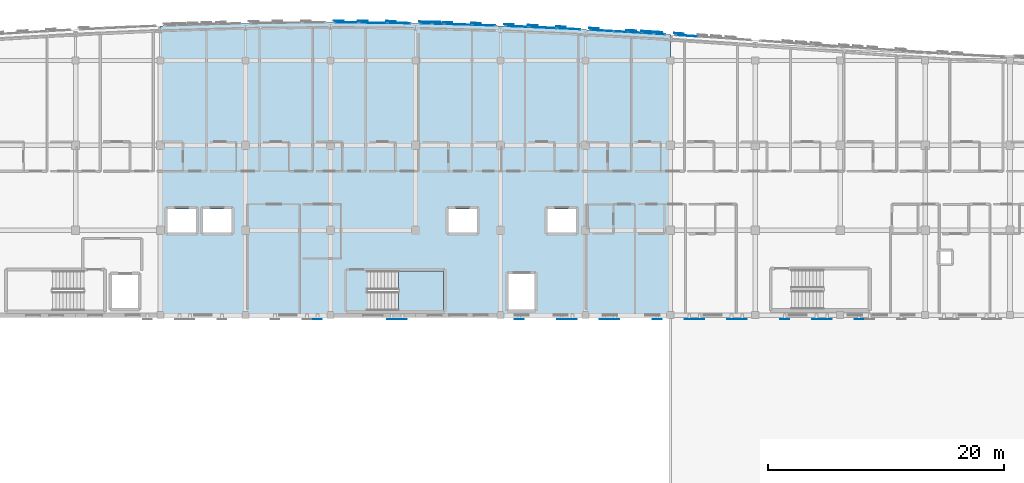
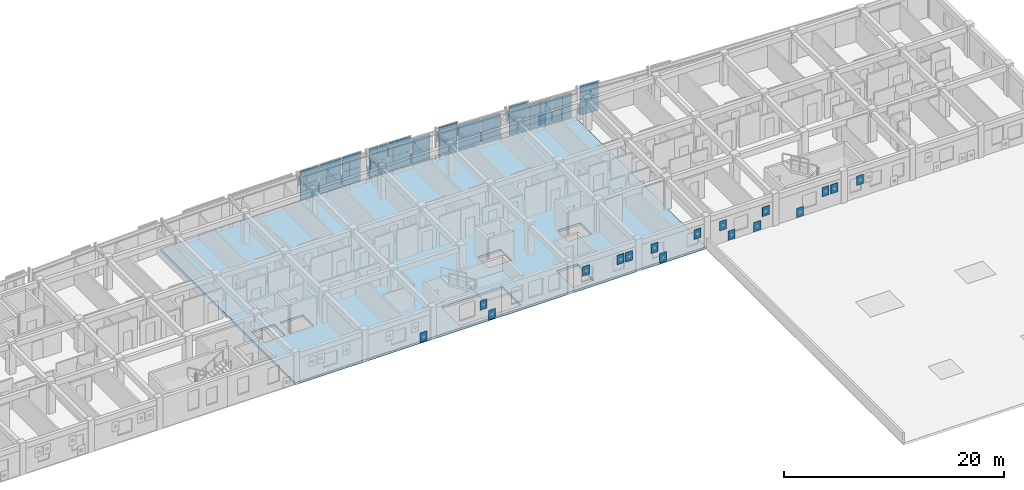
# One storey, part 35 of 50: 64 plates, 2 slabs, 14 elements without a shape of their own.
"""IFC4 building model written with IfcOpenShell, lengths in metres."""

from ifc_helpers import new_model, si_unit, direction, frame, origin, origin_2d, place, context, subcontext, project, spatial, polyline, rectangle, outline, extrude, material, layer, layer_set, type_object, element, aggregate, save


model = new_model("IFC4")

# Units and contexts
model_context = context("Model", 3, precision=1e-05, world=origin(), true_north=direction((0.0, 1.0)))
body_context = subcontext(model_context, "Body", "Model", "MODEL_VIEW")
ifc_project = project(units=[si_unit("LENGTHUNIT", "METRE"), si_unit("AREAUNIT", "SQUARE_METRE"), si_unit("VOLUMEUNIT", "CUBIC_METRE"), si_unit("PLANEANGLEUNIT", "RADIAN"), si_unit("MASSUNIT", "GRAM", prefix="KILO")], contexts=[model_context])

# Site, building, storey
site_placement = place(None, origin())
site = spatial("IfcSite", under=ifc_project, at=site_placement, CompositionType="ELEMENT")
building_placement = place(site_placement, origin())
building = spatial("IfcBuilding", under=site, at=building_placement, Name="Carrowvane Square Congress Hotel", CompositionType="ELEMENT")
storey_placement = place(building_placement, frame((0.0, 0.0, 22.800048828125)))
storey = spatial("IfcBuildingStorey", under=building, at=storey_placement, Name="L05", CompositionType="ELEMENT", Elevation=22.800048828125)

# Curtain wall, plates
ifc_material_1 = material(Name="Anodised aluminium", Category="aluminium")
ifc_layer_1 = layer(ifc_material_1, 0.24609375)
ifc_layer_set_1 = layer_set([ifc_layer_1], Name="Anodised aluminium")
curtain_wall_type_1 = type_object("IfcCurtainWallType", Name="CW-SYS-8", PredefinedType="NOTDEFINED", material=ifc_layer_set_1)
curtain_wall_1_placement = place(storey_placement, origin())
curtain_wall_1 = element("IfcCurtainWall", 1, at=curtain_wall_1_placement, inside=storey, type_object=curtain_wall_type_1, Name="L05 unitised curtain wall 335", PredefinedType="NOTDEFINED")
ifc_material_2 = material(Name="Double-glazed low-E glass", Category="glass")
ifc_layer_2 = layer(ifc_material_2, 0.028076171875)
ifc_layer_set_2 = layer_set([ifc_layer_2], Name="Double-glazed low-E glass")
plate_type_1 = type_object("IfcPlateType", Name="CW-PAN-1", PredefinedType="CURTAIN_PANEL", material=ifc_layer_set_2)
plate_1_placement = place(storey_placement, frame((106.11181640625, 116.50927734375, 0.06982421875), z_axis=(0.0, 0.0, 1.0), x_axis=(0.99974644475, -0.022517686606, 0.0)))
plate_1 = element("IfcPlate", 2, at=plate_1_placement, type_object=plate_type_1, Name="CW-8 panel 1.1", PredefinedType="CURTAIN_PANEL", context=body_context, shape_type="SweptSolid", body=[
    extrude(rectangle(XDim=0.899169921875, YDim=0.028076171875, at=origin_2d()), origin(), (0.0, 0.0, 1.0), 1.570068359375),
])
plate_2_placement = place(storey_placement, frame((106.11181640625, 116.50927734375, 1.7099609375), z_axis=(0.0, 0.0, 1.0), x_axis=(0.99974644475, -0.022517686606, 0.0)))
plate_2 = element("IfcPlate", 3, at=plate_2_placement, type_object=plate_type_1, Name="CW-8 panel 1.2", PredefinedType="CURTAIN_PANEL", context=body_context, shape_type="SweptSolid", body=[
    extrude(rectangle(XDim=0.899169921875, YDim=0.028076171875, at=origin_2d()), origin(), (0.0, 0.0, 1.0), 1.570068359375),
])
plate_3_placement = place(storey_placement, frame((107.08056640625, 116.4873046875, 0.06982421875), z_axis=(0.0, 0.0, 1.0), x_axis=(0.99974644475, -0.022517686606, 0.0)))
plate_3 = element("IfcPlate", 4, at=plate_3_placement, type_object=plate_type_1, Name="CW-8 panel 2.1", PredefinedType="CURTAIN_PANEL", context=body_context, shape_type="SweptSolid", body=[
    extrude(rectangle(XDim=0.899169921875, YDim=0.028076171875, at=origin_2d()), origin(), (0.0, 0.0, 1.0), 1.570068359375),
])
plate_4_placement = place(storey_placement, frame((107.08056640625, 116.4873046875, 1.7099609375), z_axis=(0.0, 0.0, 1.0), x_axis=(0.99974644475, -0.022517686606, 0.0)))
plate_4 = element("IfcPlate", 5, at=plate_4_placement, type_object=plate_type_1, Name="CW-8 panel 2.2", PredefinedType="CURTAIN_PANEL", context=body_context, shape_type="SweptSolid", body=[
    extrude(rectangle(XDim=0.899169921875, YDim=0.028076171875, at=origin_2d()), origin(), (0.0, 0.0, 1.0), 1.570068359375),
])
aggregate(curtain_wall_1, [plate_1, plate_2, plate_3, plate_4])

ifc_material_3 = material(Name="Anodised aluminium", Category="aluminium")
ifc_layer_3 = layer(ifc_material_3, 0.2099609375)
ifc_layer_set_3 = layer_set([ifc_layer_3], Name="Anodised aluminium")
curtain_wall_type_2 = type_object("IfcCurtainWallType", Name="CW-SYS-5", PredefinedType="NOTDEFINED", material=ifc_layer_set_3)
curtain_wall_2_placement = place(storey_placement, origin())
curtain_wall_2 = element("IfcCurtainWall", 6, at=curtain_wall_2_placement, inside=storey, type_object=curtain_wall_type_2, Name="L05 unitised curtain wall 340", PredefinedType="NOTDEFINED")
plate_5_placement = place(storey_placement, frame((118.2177734375, 116.067138671875, 0.06005859375), z_axis=(0.0, 0.0, 1.0), x_axis=(0.998732955299, -0.050323791596, 0.0)))
plate_5 = element("IfcPlate", 7, at=plate_5_placement, type_object=plate_type_1, Name="CW-5 panel 1.1", PredefinedType="CURTAIN_PANEL", context=body_context, shape_type="SweptSolid", body=[
    extrude(rectangle(XDim=1.91796875, YDim=0.028076171875, at=origin_2d()), origin(), (0.0, 0.0, 1.0), 1.372802734375),
])
plate_6_placement = place(storey_placement, frame((118.2177734375, 116.067138671875, 1.49267578125), z_axis=(0.0, 0.0, 1.0), x_axis=(0.998732955299, -0.050323791596, 0.0)))
plate_6 = element("IfcPlate", 8, at=plate_6_placement, type_object=plate_type_1, Name="CW-5 panel 1.2", PredefinedType="CURTAIN_PANEL", context=body_context, shape_type="SweptSolid", body=[
    extrude(rectangle(XDim=1.91796875, YDim=0.028076171875, at=origin_2d()), origin(), (0.0, 0.0, 1.0), 1.372802734375),
])
aggregate(curtain_wall_2, [plate_5, plate_6])

ifc_material_4 = material(Name="Anodised aluminium", Category="aluminium")
ifc_layer_4 = layer(ifc_material_4, 0.162109375)
ifc_layer_set_4 = layer_set([ifc_layer_4], Name="Anodised aluminium")
curtain_wall_type_3 = type_object("IfcCurtainWallType", Name="CW-SYS-1", PredefinedType="NOTDEFINED", material=ifc_layer_set_4)
curtain_wall_3_placement = place(storey_placement, origin())
curtain_wall_3 = element("IfcCurtainWall", 9, at=curtain_wall_3_placement, inside=storey, type_object=curtain_wall_type_3, Name="L05 unitised curtain wall 336", PredefinedType="NOTDEFINED")
ifc_material_5 = material(Name="Double-glazed low-E glass", Category="glass")
ifc_layer_5 = layer(ifc_material_5, 0.031982421875)
ifc_layer_set_5 = layer_set([ifc_layer_5], Name="Double-glazed low-E glass")
plate_type_2 = type_object("IfcPlateType", Name="CW-PAN-2", PredefinedType="CURTAIN_PANEL", material=ifc_layer_set_5)
plate_7_placement = place(storey_placement, frame((108.800048828125, 116.44140625, 0.06005859375), z_axis=(0.0, 0.0, 1.0), x_axis=(0.999589848065, -0.028638010501, 0.0)))
plate_7 = element("IfcPlate", 10, at=plate_7_placement, type_object=plate_type_2, Name="CW-1 panel 1.1", PredefinedType="CURTAIN_PANEL", context=body_context, shape_type="SweptSolid", body=[
    extrude(rectangle(XDim=2.281005859375, YDim=0.031982421875, at=origin_2d()), origin(), (0.0, 0.0, 1.0), 1.5849609375),
])
plate_8_placement = place(storey_placement, frame((108.800048828125, 116.44140625, 1.705078125), z_axis=(0.0, 0.0, 1.0), x_axis=(0.999589848065, -0.028638010501, 0.0)))
plate_8 = element("IfcPlate", 11, at=plate_8_placement, type_object=plate_type_2, Name="CW-1 panel 1.2", PredefinedType="CURTAIN_PANEL", context=body_context, shape_type="SweptSolid", body=[
    extrude(rectangle(XDim=2.281005859375, YDim=0.031982421875, at=origin_2d()), origin(), (0.0, 0.0, 1.0), 1.5849609375),
])
aggregate(curtain_wall_3, [plate_7, plate_8])

ifc_material_6 = material(Name="Anodised aluminium", Category="aluminium")
ifc_layer_6 = layer(ifc_material_6, 0.221923828125)
ifc_layer_set_6 = layer_set([ifc_layer_6], Name="Anodised aluminium")
curtain_wall_type_4 = type_object("IfcCurtainWallType", Name="CW-SYS-6", PredefinedType="NOTDEFINED", material=ifc_layer_set_6)
curtain_wall_4_placement = place(storey_placement, origin())
curtain_wall_4 = element("IfcCurtainWall", 12, at=curtain_wall_4_placement, inside=storey, type_object=curtain_wall_type_4, Name="L05 unitised curtain wall 341", PredefinedType="NOTDEFINED")
plate_9_placement = place(storey_placement, frame((121.002197265625, 115.920654296875, 0.06982421875), z_axis=(0.0, 0.0, 1.0), x_axis=(0.998496473856, -0.054815980317, 0.0)))
plate_9 = element("IfcPlate", 13, at=plate_9_placement, type_object=plate_type_2, Name="CW-6 panel 1.1", PredefinedType="CURTAIN_PANEL", context=body_context, shape_type="SweptSolid", body=[
    extrude(rectangle(XDim=1.8583984375, YDim=0.031982421875, at=origin_2d()), origin(), (0.0, 0.0, 1.0), 1.570068359375),
])
plate_10_placement = place(storey_placement, frame((121.002197265625, 115.920654296875, 1.7099609375), z_axis=(0.0, 0.0, 1.0), x_axis=(0.998496473856, -0.054815980317, 0.0)))
plate_10 = element("IfcPlate", 14, at=plate_10_placement, type_object=plate_type_2, Name="CW-6 panel 1.2", PredefinedType="CURTAIN_PANEL", context=body_context, shape_type="SweptSolid", body=[
    extrude(rectangle(XDim=1.8583984375, YDim=0.031982421875, at=origin_2d()), origin(), (0.0, 0.0, 1.0), 1.570068359375),
])
aggregate(curtain_wall_4, [plate_9, plate_10])

curtain_wall_5_placement = place(storey_placement, origin())
curtain_wall_5 = element("IfcCurtainWall", 15, at=curtain_wall_5_placement, inside=storey, type_object=curtain_wall_type_2, Name="L05 unitised curtain wall 332", PredefinedType="NOTDEFINED")
ifc_material_7 = material(Name="Double-glazed low-E glass", Category="glass")
ifc_layer_7 = layer(ifc_material_7, 0.035888671875)
ifc_layer_set_7 = layer_set([ifc_layer_7], Name="Double-glazed low-E glass")
plate_type_3 = type_object("IfcPlateType", Name="CW-PAN-3", PredefinedType="CURTAIN_PANEL", material=ifc_layer_set_7)
plate_11_placement = place(storey_placement, frame((99.392333984375, 116.595458984375, 0.06005859375), z_axis=(0.0, 0.0, 1.0), x_axis=(0.999994652529, -0.003270307911, 0.0)))
plate_11 = element("IfcPlate", 16, at=plate_11_placement, type_object=plate_type_3, Name="CW-5 panel 1.1", PredefinedType="CURTAIN_PANEL", context=body_context, shape_type="SweptSolid", body=[
    extrude(rectangle(XDim=1.89501953125, YDim=0.035888671875, at=origin_2d()), origin(), (0.0, 0.0, 1.0), 1.5849609375),
])
plate_12_placement = place(storey_placement, frame((99.392333984375, 116.595458984375, 1.705078125), z_axis=(0.0, 0.0, 1.0), x_axis=(0.999994652529, -0.003270307911, 0.0)))
plate_12 = element("IfcPlate", 17, at=plate_12_placement, type_object=plate_type_3, Name="CW-5 panel 1.2", PredefinedType="CURTAIN_PANEL", context=body_context, shape_type="SweptSolid", body=[
    extrude(rectangle(XDim=1.89501953125, YDim=0.035888671875, at=origin_2d()), origin(), (0.0, 0.0, 1.0), 1.5849609375),
])
aggregate(curtain_wall_5, [plate_11, plate_12])

ifc_material_8 = material(Name="Anodised aluminium", Category="aluminium")
ifc_layer_8 = layer(ifc_material_8, 0.174072265625)
ifc_layer_set_8 = layer_set([ifc_layer_8], Name="Anodised aluminium")
curtain_wall_type_5 = type_object("IfcCurtainWallType", Name="CW-SYS-2", PredefinedType="NOTDEFINED", material=ifc_layer_set_8)
curtain_wall_6_placement = place(storey_placement, origin())
curtain_wall_6 = element("IfcCurtainWall", 18, at=curtain_wall_6_placement, inside=storey, type_object=curtain_wall_type_5, Name="L05 unitised curtain wall 337", PredefinedType="NOTDEFINED")
plate_13_placement = place(storey_placement, frame((111.0146484375, 116.371826171875, 0.06982421875), z_axis=(0.0, 0.0, 1.0), x_axis=(0.999403663525, -0.034529948347, 0.0)))
plate_13 = element("IfcPlate", 19, at=plate_13_placement, type_object=plate_type_3, Name="CW-2 panel 1.1", PredefinedType="CURTAIN_PANEL", context=body_context, shape_type="SweptSolid", body=[
    extrude(rectangle(XDim=1.890625, YDim=0.035888671875, at=origin_2d()), origin(), (0.0, 0.0, 1.0), 1.35791015625),
])
plate_14_placement = place(storey_placement, frame((111.0146484375, 116.371826171875, 1.497802734375), z_axis=(0.0, 0.0, 1.0), x_axis=(0.999403663525, -0.034529948347, 0.0)))
plate_14 = element("IfcPlate", 20, at=plate_14_placement, type_object=plate_type_3, Name="CW-2 panel 1.2", PredefinedType="CURTAIN_PANEL", context=body_context, shape_type="SweptSolid", body=[
    extrude(rectangle(XDim=1.890625, YDim=0.035888671875, at=origin_2d()), origin(), (0.0, 0.0, 1.0), 1.35791015625),
])
aggregate(curtain_wall_6, [plate_13, plate_14])

ifc_material_9 = material(Name="Anodised aluminium", Category="aluminium")
ifc_layer_9 = layer(ifc_material_9, 0.23388671875)
ifc_layer_set_9 = layer_set([ifc_layer_9], Name="Anodised aluminium")
curtain_wall_type_6 = type_object("IfcCurtainWallType", Name="CW-SYS-7", PredefinedType="NOTDEFINED", material=ifc_layer_set_9)
curtain_wall_7_placement = place(storey_placement, origin())
curtain_wall_7 = element("IfcCurtainWall", 21, at=curtain_wall_7_placement, inside=storey, type_object=curtain_wall_type_6, Name="L05 unitised curtain wall 342", PredefinedType="NOTDEFINED")
plate_15_placement = place(storey_placement, frame((122.614990234375, 115.82958984375, 0.06005859375), z_axis=(0.0, 0.0, 1.0), x_axis=(0.998266763162, -0.058851249486, 0.0)))
plate_15 = element("IfcPlate", 22, at=plate_15_placement, type_object=plate_type_3, Name="CW-7 panel 1.1", PredefinedType="CURTAIN_PANEL", context=body_context, shape_type="SweptSolid", body=[
    extrude(rectangle(XDim=1.112060546875, YDim=0.035888671875, at=origin_2d()), origin(), (0.0, 0.0, 1.0), 1.372802734375),
])
plate_16_placement = place(storey_placement, frame((122.614990234375, 115.82958984375, 1.49267578125), z_axis=(0.0, 0.0, 1.0), x_axis=(0.998266763162, -0.058851249486, 0.0)))
plate_16 = element("IfcPlate", 23, at=plate_16_placement, type_object=plate_type_3, Name="CW-7 panel 1.2", PredefinedType="CURTAIN_PANEL", context=body_context, shape_type="SweptSolid", body=[
    extrude(rectangle(XDim=1.112060546875, YDim=0.035888671875, at=origin_2d()), origin(), (0.0, 0.0, 1.0), 1.372802734375),
])
plate_17_placement = place(storey_placement, frame((123.78515625, 115.760498046875, 0.06005859375), z_axis=(0.0, 0.0, 1.0), x_axis=(0.998266763162, -0.058851249486, 0.0)))
plate_17 = element("IfcPlate", 24, at=plate_17_placement, type_object=plate_type_3, Name="CW-7 panel 2.1", PredefinedType="CURTAIN_PANEL", context=body_context, shape_type="SweptSolid", body=[
    extrude(rectangle(XDim=1.112060546875, YDim=0.035888671875, at=origin_2d()), origin(), (0.0, 0.0, 1.0), 1.372802734375),
])
plate_18_placement = place(storey_placement, frame((123.78515625, 115.760498046875, 1.49267578125), z_axis=(0.0, 0.0, 1.0), x_axis=(0.998266763162, -0.058851249486, 0.0)))
plate_18 = element("IfcPlate", 25, at=plate_18_placement, type_object=plate_type_3, Name="CW-7 panel 2.2", PredefinedType="CURTAIN_PANEL", context=body_context, shape_type="SweptSolid", body=[
    extrude(rectangle(XDim=1.112060546875, YDim=0.035888671875, at=origin_2d()), origin(), (0.0, 0.0, 1.0), 1.372802734375),
])
aggregate(curtain_wall_7, [plate_15, plate_16, plate_17, plate_18])

curtain_wall_8_placement = place(storey_placement, origin())
curtain_wall_8 = element("IfcCurtainWall", 26, at=curtain_wall_8_placement, inside=storey, type_object=curtain_wall_type_4, Name="L05 unitised curtain wall 333", PredefinedType="NOTDEFINED")
ifc_material_10 = material(Name="Double-glazed low-E glass", Category="glass")
ifc_layer_10 = layer(ifc_material_10, 0.0419921875)
ifc_layer_set_10 = layer_set([ifc_layer_10], Name="Double-glazed low-E glass")
plate_type_4 = type_object("IfcPlateType", Name="CW-PAN-4", PredefinedType="CURTAIN_PANEL", material=ifc_layer_set_10)
plate_19_placement = place(storey_placement, frame((101.60009765625, 116.580322265625, 0.06982421875), z_axis=(0.0, 0.0, 1.0), x_axis=(0.999952146231, -0.009782905924, 0.0)))
plate_19 = element("IfcPlate", 27, at=plate_19_placement, type_object=plate_type_4, Name="CW-6 panel 1.1", PredefinedType="CURTAIN_PANEL", context=body_context, shape_type="SweptSolid", body=[
    extrude(rectangle(XDim=2.260009765625, YDim=0.0419921875, at=origin_2d()), origin(), (0.0, 0.0, 1.0), 1.570068359375),
])
plate_20_placement = place(storey_placement, frame((101.60009765625, 116.580322265625, 1.7099609375), z_axis=(0.0, 0.0, 1.0), x_axis=(0.999952146231, -0.009782905924, 0.0)))
plate_20 = element("IfcPlate", 28, at=plate_20_placement, type_object=plate_type_4, Name="CW-6 panel 1.2", PredefinedType="CURTAIN_PANEL", context=body_context, shape_type="SweptSolid", body=[
    extrude(rectangle(XDim=2.260009765625, YDim=0.0419921875, at=origin_2d()), origin(), (0.0, 0.0, 1.0), 1.570068359375),
])
aggregate(curtain_wall_8, [plate_19, plate_20])

ifc_material_11 = material(Name="Anodised aluminium", Category="aluminium")
ifc_layer_11 = layer(ifc_material_11, 0.18603515625)
ifc_layer_set_11 = layer_set([ifc_layer_11], Name="Anodised aluminium")
curtain_wall_type_7 = type_object("IfcCurtainWallType", Name="CW-SYS-3", PredefinedType="NOTDEFINED", material=ifc_layer_set_11)
curtain_wall_9_placement = place(storey_placement, origin())
curtain_wall_9 = element("IfcCurtainWall", 29, at=curtain_wall_9_placement, inside=storey, type_object=curtain_wall_type_7, Name="L05 unitised curtain wall 338", PredefinedType="NOTDEFINED")
plate_21_placement = place(storey_placement, frame((113.79931640625, 116.267822265625, 0.06005859375), z_axis=(0.0, 0.0, 1.0), x_axis=(0.999194428656, -0.040130957403, 0.0)))
plate_21 = element("IfcPlate", 30, at=plate_21_placement, type_object=plate_type_4, Name="CW-3 panel 1.1", PredefinedType="CURTAIN_PANEL", context=body_context, shape_type="SweptSolid", body=[
    extrude(rectangle(XDim=1.8828125, YDim=0.0419921875, at=origin_2d()), origin(), (0.0, 0.0, 1.0), 1.5849609375),
])
plate_22_placement = place(storey_placement, frame((113.79931640625, 116.267822265625, 1.705078125), z_axis=(0.0, 0.0, 1.0), x_axis=(0.999194428656, -0.040130957403, 0.0)))
plate_22 = element("IfcPlate", 31, at=plate_22_placement, type_object=plate_type_4, Name="CW-3 panel 1.2", PredefinedType="CURTAIN_PANEL", context=body_context, shape_type="SweptSolid", body=[
    extrude(rectangle(XDim=1.8828125, YDim=0.0419921875, at=origin_2d()), origin(), (0.0, 0.0, 1.0), 1.5849609375),
])
aggregate(curtain_wall_9, [plate_21, plate_22])

curtain_wall_10_placement = place(storey_placement, origin())
curtain_wall_10 = element("IfcCurtainWall", 32, at=curtain_wall_10_placement, inside=storey, type_object=curtain_wall_type_1, Name="L05 unitised curtain wall 343", PredefinedType="NOTDEFINED")
plate_23_placement = place(storey_placement, frame((124.927490234375, 115.69140625, 0.06982421875), z_axis=(0.0, 0.0, 1.0), x_axis=(0.998051398046, -0.062397170272, 0.0)))
plate_23 = element("IfcPlate", 33, at=plate_23_placement, type_object=plate_type_4, Name="CW-8 panel 1.1", PredefinedType="CURTAIN_PANEL", context=body_context, shape_type="SweptSolid", body=[
    extrude(rectangle(XDim=0.9169921875, YDim=0.0419921875, at=origin_2d()), origin(), (0.0, 0.0, 1.0), 1.35791015625),
])
plate_24_placement = place(storey_placement, frame((124.927490234375, 115.69140625, 1.497802734375), z_axis=(0.0, 0.0, 1.0), x_axis=(0.998051398046, -0.062397170272, 0.0)))
plate_24 = element("IfcPlate", 34, at=plate_24_placement, type_object=plate_type_4, Name="CW-8 panel 1.2", PredefinedType="CURTAIN_PANEL", context=body_context, shape_type="SweptSolid", body=[
    extrude(rectangle(XDim=0.9169921875, YDim=0.0419921875, at=origin_2d()), origin(), (0.0, 0.0, 1.0), 1.35791015625),
])
plate_25_placement = place(storey_placement, frame((125.91259765625, 115.6298828125, 0.06982421875), z_axis=(0.0, 0.0, 1.0), x_axis=(0.998051398046, -0.062397170272, 0.0)))
plate_25 = element("IfcPlate", 35, at=plate_25_placement, type_object=plate_type_4, Name="CW-8 panel 2.1", PredefinedType="CURTAIN_PANEL", context=body_context, shape_type="SweptSolid", body=[
    extrude(rectangle(XDim=0.9169921875, YDim=0.0419921875, at=origin_2d()), origin(), (0.0, 0.0, 1.0), 1.35791015625),
])
plate_26_placement = place(storey_placement, frame((125.91259765625, 115.6298828125, 1.497802734375), z_axis=(0.0, 0.0, 1.0), x_axis=(0.998051398046, -0.062397170272, 0.0)))
plate_26 = element("IfcPlate", 36, at=plate_26_placement, type_object=plate_type_4, Name="CW-8 panel 2.2", PredefinedType="CURTAIN_PANEL", context=body_context, shape_type="SweptSolid", body=[
    extrude(rectangle(XDim=0.9169921875, YDim=0.0419921875, at=origin_2d()), origin(), (0.0, 0.0, 1.0), 1.35791015625),
])
aggregate(curtain_wall_10, [plate_23, plate_24, plate_25, plate_26])

curtain_wall_11_placement = place(storey_placement, origin())
curtain_wall_11 = element("IfcCurtainWall", 37, at=curtain_wall_11_placement, inside=storey, type_object=curtain_wall_type_6, Name="L05 unitised curtain wall 334", PredefinedType="NOTDEFINED")
ifc_material_12 = material(Name="Double-glazed low-E glass", Category="glass")
ifc_layer_12 = layer(ifc_material_12, 0.048095703125)
ifc_layer_set_12 = layer_set([ifc_layer_12], Name="Double-glazed low-E glass")
plate_type_5 = type_object("IfcPlateType", Name="CW-PAN-5", PredefinedType="CURTAIN_PANEL", material=ifc_layer_set_12)
plate_27_placement = place(storey_placement, frame((103.811279296875, 116.55224609375, 0.06005859375), z_axis=(0.0, 0.0, 1.0), x_axis=(0.99986851233, -0.016215981364, 0.0)))
plate_27 = element("IfcPlate", 38, at=plate_27_placement, type_object=plate_type_5, Name="CW-7 panel 1.1", PredefinedType="CURTAIN_PANEL", context=body_context, shape_type="SweptSolid", body=[
    extrude(rectangle(XDim=1.902587890625, YDim=0.048095703125, at=origin_2d()), origin(), (0.0, 0.0, 1.0), 1.5849609375),
])
plate_28_placement = place(storey_placement, frame((103.811279296875, 116.55224609375, 1.705078125), z_axis=(0.0, 0.0, 1.0), x_axis=(0.99986851233, -0.016215981364, 0.0)))
plate_28 = element("IfcPlate", 39, at=plate_28_placement, type_object=plate_type_5, Name="CW-7 panel 1.2", PredefinedType="CURTAIN_PANEL", context=body_context, shape_type="SweptSolid", body=[
    extrude(rectangle(XDim=1.902587890625, YDim=0.048095703125, at=origin_2d()), origin(), (0.0, 0.0, 1.0), 1.5849609375),
])
aggregate(curtain_wall_11, [plate_27, plate_28])

ifc_material_13 = material(Name="Anodised aluminium", Category="aluminium")
ifc_layer_13 = layer(ifc_material_13, 0.197998046875)
ifc_layer_set_13 = layer_set([ifc_layer_13], Name="Anodised aluminium")
curtain_wall_type_8 = type_object("IfcCurtainWallType", Name="CW-SYS-4", PredefinedType="NOTDEFINED", material=ifc_layer_set_13)
curtain_wall_12_placement = place(storey_placement, origin())
curtain_wall_12 = element("IfcCurtainWall", 40, at=curtain_wall_12_placement, inside=storey, type_object=curtain_wall_type_8, Name="L05 unitised curtain wall 339", PredefinedType="NOTDEFINED")
plate_29_placement = place(storey_placement, frame((116.0, 116.173095703125, 0.06982421875), z_axis=(0.0, 0.0, 1.0), x_axis=(0.998968385726, -0.045411059449, 0.0)))
plate_29 = element("IfcPlate", 41, at=plate_29_placement, type_object=plate_type_5, Name="CW-4 panel 1.1", PredefinedType="CURTAIN_PANEL", context=body_context, shape_type="SweptSolid", body=[
    extrude(rectangle(XDim=2.262451171875, YDim=0.048095703125, at=origin_2d()), origin(), (0.0, 0.0, 1.0), 1.35791015625),
])
plate_30_placement = place(storey_placement, frame((116.0, 116.173095703125, 1.497802734375), z_axis=(0.0, 0.0, 1.0), x_axis=(0.998968385726, -0.045411059449, 0.0)))
plate_30 = element("IfcPlate", 42, at=plate_30_placement, type_object=plate_type_5, Name="CW-4 panel 1.2", PredefinedType="CURTAIN_PANEL", context=body_context, shape_type="SweptSolid", body=[
    extrude(rectangle(XDim=2.262451171875, YDim=0.048095703125, at=origin_2d()), origin(), (0.0, 0.0, 1.0), 1.35791015625),
])
aggregate(curtain_wall_12, [plate_29, plate_30])

curtain_wall_13_placement = place(storey_placement, origin())
curtain_wall_13 = element("IfcCurtainWall", 43, at=curtain_wall_13_placement, inside=storey, type_object=curtain_wall_type_3, Name="L05 unitised curtain wall 344", PredefinedType="NOTDEFINED")
plate_31_placement = place(storey_placement, frame((128.204345703125, 115.482177734375, 0.06005859375), z_axis=(0.0, 0.0, 1.0), x_axis=(0.9978582145, -0.065413941589, 0.0)))
plate_31 = element("IfcPlate", 44, at=plate_31_placement, type_object=plate_type_5, Name="CW-1 panel 1.1", PredefinedType="CURTAIN_PANEL", context=body_context, shape_type="SweptSolid", body=[
    extrude(rectangle(XDim=1.8759765625, YDim=0.048095703125, at=origin_2d()), origin(), (0.0, 0.0, 1.0), 1.5849609375),
])
plate_32_placement = place(storey_placement, frame((128.204345703125, 115.482177734375, 1.705078125), z_axis=(0.0, 0.0, 1.0), x_axis=(0.9978582145, -0.065413941589, 0.0)))
plate_32 = element("IfcPlate", 45, at=plate_32_placement, type_object=plate_type_5, Name="CW-1 panel 1.2", PredefinedType="CURTAIN_PANEL", context=body_context, shape_type="SweptSolid", body=[
    extrude(rectangle(XDim=1.8759765625, YDim=0.048095703125, at=origin_2d()), origin(), (0.0, 0.0, 1.0), 1.5849609375),
])
aggregate(curtain_wall_13, [plate_31, plate_32])

# Plates
ifc_material_14 = material(Name="Champagne-gold anodised aluminium", Category="aluminium")
ifc_layer_14 = layer(ifc_material_14, 0.011962890625)
ifc_layer_set_14 = layer_set([ifc_layer_14], Name="Champagne-gold anodised aluminium")
plate_type_6 = type_object("IfcPlateType", Name="PLT-PIX-GOLD12", PredefinedType="SHEET", material=ifc_layer_set_14)
for number, where, z_axis, x_axis, name in (
    (46, (100.726318359375, 116.7548828125, 0.119873046875), (0.0, 0.0, 1.0), (0.999952150705, -0.009782448565, 0.0), "Champagne-gold pixel screen plate 421"),
    (47, (105.920654296875, 116.679443359375, 0.119873046875), (0.0, 0.0, 1.0), (0.999746418061, -0.022518871507, 0.0), "Champagne-gold pixel screen plate 423"),
    (48, (106.8896484375, 116.65771484375, 0.119873046875), (0.0, 0.0, 1.0), (0.999746418061, -0.022518871507, 0.0), "Champagne-gold pixel screen plate 424"),
    (49, (110.330322265625, 116.5615234375, 0.119873046875), (0.0, 0.0, 1.0), (0.999403768784, -0.034526901703, 0.0), "Champagne-gold pixel screen plate 426"),
    (50, (115.132080078125, 116.378662109375, 1.58984375), (0.0, 0.0, 1.0), (0.998968255262, -0.045413929349, 0.0), "Champagne-gold pixel screen plate 428"),
    (51, (120.337890625, 116.123291015625, 1.58984375), (0.0, 0.0, 1.0), (0.998496552462, -0.054814548441, 0.0), "Champagne-gold pixel screen plate 430"),
    (52, (124.734619140625, 115.86962890625, 0.119873046875), (0.0, 0.0, 1.0), (0.998051413269, -0.062396926785, 0.0), "Champagne-gold pixel screen plate 432"),
    (53, (125.719482421875, 115.80810546875, 0.119873046875), (0.0, 0.0, 1.0), (0.998051413269, -0.062396926785, 0.0), "Champagne-gold pixel screen plate 433"),
):
    element("IfcPlate", number, at=place(storey_placement, frame(where, z_axis=z_axis, x_axis=x_axis)), inside=storey, type_object=plate_type_6, Name=name, PredefinedType="SHEET", context=body_context, shape_type="SweptSolid", body=[
        extrude(rectangle(XDim=0.827880859375, YDim=0.011962890625, at=origin_2d()), origin(), (0.0, 0.0, 1.0), 1.1201171875),
    ])
for number, where, z_axis, x_axis, name in (
    (54, (140.10009765625, 91.4541015625, 1.52490234375), (0.0, 0.0, 1.0), (-1.0, 0.0, 0.0), "Champagne-gold pixel screen plate S-468"),
    (55, (139.199951171875, 91.4541015625, 1.52490234375), (0.0, 0.0, 1.0), (-1.0, 0.0, 0.0), "Champagne-gold pixel screen plate S-469"),
    (56, (136.5, 91.4541015625, 0.15478515625), (0.0, 0.0, 1.0), (-1.0, 0.0, 0.0), "Champagne-gold pixel screen plate S-470"),
    (57, (125.699951171875, 91.4541015625, 1.52490234375), (0.0, 0.0, 1.0), (-1.0, 0.0, 0.0), "Champagne-gold pixel screen plate S-475"),
    (58, (122.10009765625, 91.4541015625, 0.15478515625), (0.0, 0.0, 1.0), (-1.0, 0.0, 0.0), "Champagne-gold pixel screen plate S-476"),
    (59, (121.199951171875, 91.4541015625, 1.52490234375), (0.0, 0.0, 1.0), (-1.0, 0.0, 0.0), "Champagne-gold pixel screen plate S-477"),
    (60, (96.89990234375, 91.4541015625, 0.15478515625), (0.0, 0.0, 1.0), (-1.0, 0.0, 0.0), "Champagne-gold pixel screen plate S-483"),
):
    element("IfcPlate", number, at=place(storey_placement, frame(where, z_axis=z_axis, x_axis=x_axis)), inside=storey, type_object=plate_type_6, Name=name, PredefinedType="SHEET", context=body_context, shape_type="SweptSolid", body=[
        extrude(rectangle(XDim=0.738037109375, YDim=0.011962890625, at=origin_2d()), origin(), (0.0, 0.0, 1.0), 1.050048828125),
    ])
ifc_material_15 = material(Name="Champagne-gold anodised aluminium", Category="aluminium")
ifc_layer_15 = layer(ifc_material_15, 0.008056640625)
ifc_layer_set_15 = layer_set([ifc_layer_15], Name="Champagne-gold anodised aluminium")
plate_type_7 = type_object("IfcPlateType", Name="PLT-PIX-GOLD8", PredefinedType="SHEET", material=ifc_layer_set_15)
for number, where, z_axis, x_axis, name in (
    (61, (98.705322265625, 116.76171875, 1.58984375), (0.0, 0.0, 1.0), (0.999994654955, -0.003269565853, 0.0), "Champagne-gold pixel screen plate 420"),
    (62, (103.122314453125, 116.7275390625, 0.119873046875), (0.0, 0.0, 1.0), (0.999868508772, -0.016216200758, 0.0), "Champagne-gold pixel screen plate 422"),
    (63, (107.92431640625, 116.63037109375, 1.58984375), (0.0, 0.0, 1.0), (0.999589805464, -0.028639497417, 0.0), "Champagne-gold pixel screen plate 425"),
    (64, (113.125, 116.458984375, 1.58984375), (0.0, 0.0, 1.0), (0.999194294234, -0.040134304148, 0.0), "Champagne-gold pixel screen plate 427"),
    (65, (117.527587890625, 116.26611328125, 0.119873046875), (0.0, 0.0, 1.0), (0.998733066647, -0.050321581706, 0.0), "Champagne-gold pixel screen plate 429"),
    (66, (123.4990234375, 115.941650390625, 0.119873046875), (0.0, 0.0, 1.0), (0.998266695506, -0.05885239709, 0.0), "Champagne-gold pixel screen plate 431"),
    (67, (127.538330078125, 115.690185546875, 0.119873046875), (0.0, 0.0, 1.0), (0.99785825325, -0.065413350476, 0.0), "Champagne-gold pixel screen plate 434"),
):
    element("IfcPlate", number, at=place(storey_placement, frame(where, z_axis=z_axis, x_axis=x_axis)), inside=storey, type_object=plate_type_7, Name=name, PredefinedType="SHEET", context=body_context, shape_type="SweptSolid", body=[
        extrude(rectangle(XDim=0.827880859375, YDim=0.008056640625, at=origin_2d()), origin(), (0.0, 0.0, 1.0), 1.1201171875),
    ])
for number, where, z_axis, x_axis, name in (
    (68, (142.800048828125, 91.4560546875, 1.52490234375), (0.0, 0.0, 1.0), (-1.0, 0.0, 0.0), "Champagne-gold pixel screen plate S-467"),
    (69, (132.89990234375, 91.4560546875, 1.52490234375), (0.0, 0.0, 1.0), (-1.0, 0.0, 0.0), "Champagne-gold pixel screen plate S-471"),
    (70, (132.0, 91.4560546875, 0.15478515625), (0.0, 0.0, 1.0), (-1.0, 0.0, 0.0), "Champagne-gold pixel screen plate S-472"),
    (71, (129.300048828125, 91.4560546875, 0.15478515625), (0.0, 0.0, 1.0), (-1.0, 0.0, 0.0), "Champagne-gold pixel screen plate S-473"),
    (72, (128.39990234375, 91.4560546875, 1.52490234375), (0.0, 0.0, 1.0), (-1.0, 0.0, 0.0), "Champagne-gold pixel screen plate S-474"),
    (73, (118.5, 91.4560546875, 1.52490234375), (0.0, 0.0, 1.0), (-1.0, 0.0, 0.0), "Champagne-gold pixel screen plate S-478"),
    (74, (117.60009765625, 91.4560546875, 1.52490234375), (0.0, 0.0, 1.0), (-1.0, 0.0, 0.0), "Champagne-gold pixel screen plate S-479"),
    (75, (114.0, 91.4560546875, 1.52490234375), (0.0, 0.0, 1.0), (-1.0, 0.0, 0.0), "Champagne-gold pixel screen plate S-480"),
    (76, (104.10009765625, 91.4560546875, 0.15478515625), (0.0, 0.0, 1.0), (-1.0, 0.0, 0.0), "Champagne-gold pixel screen plate S-481"),
    (77, (103.199951171875, 91.4560546875, 1.52490234375), (0.0, 0.0, 1.0), (-1.0, 0.0, 0.0), "Champagne-gold pixel screen plate S-482"),
):
    element("IfcPlate", number, at=place(storey_placement, frame(where, z_axis=z_axis, x_axis=x_axis)), inside=storey, type_object=plate_type_7, Name=name, PredefinedType="SHEET", context=body_context, shape_type="SweptSolid", body=[
        extrude(rectangle(XDim=0.738037109375, YDim=0.008056640625, at=origin_2d()), origin(), (0.0, 0.0, 1.0), 1.050048828125),
    ])

# Slab
ifc_material_16 = material(Name="Concrete C35/45", Category="concrete")
ifc_layer_16 = layer(ifc_material_16, 0.25)
ifc_layer_set_16 = layer_set([ifc_layer_16], Name="Concrete C35/45")
slab_type_1 = type_object("IfcSlabType", Name="SLB-FLR-250", PredefinedType="FLOOR", material=ifc_layer_set_16)
slab_1_placement = place(storey_placement, frame((0.0, 0.0, -0.25)))
element("IfcSlab", 78, at=slab_1_placement, inside=storey, type_object=slab_type_1, Name="L05 Hotel Wing slab panel 2", PredefinedType="FLOOR", context=body_context, shape_type="SweptSolid", body=[
    extrude(outline(polyline([(83.60009765625, 91.800048828125), (126.800048828125, 91.800048828125), (126.800048828125, 115.57421875), (124.39990234375, 115.724365234375), (122.0, 115.86572265625), (119.60009765625, 115.99755859375), (117.199951171875, 116.118408203125), (114.800048828125, 116.2275390625), (112.39990234375, 116.323974609375), (110.0, 116.406982421875), (107.60009765625, 116.4755859375), (105.199951171875, 116.52978515625), (102.800048828125, 116.568603515625), (100.39990234375, 116.592041015625), (98.0, 116.60009765625), (95.60009765625, 116.592041015625), (93.199951171875, 116.568603515625), (90.800048828125, 116.52978515625), (88.39990234375, 116.4755859375), (86.0, 116.406982421875), (83.60009765625, 116.323974609375), (83.60009765625, 91.800048828125)]), holes=[polyline([(101.1201171875, 92.199951171875), (107.60009765625, 92.199951171875), (107.60009765625, 95.56005859375), (101.1201171875, 95.56005859375), (101.1201171875, 92.199951171875)]), polyline([(84.199951171875, 98.800048828125), (86.60009765625, 98.800048828125), (86.60009765625, 100.800048828125), (84.199951171875, 100.800048828125), (84.199951171875, 98.800048828125)]), polyline([(87.199951171875, 98.800048828125), (89.60009765625, 98.800048828125), (89.60009765625, 100.800048828125), (87.199951171875, 100.800048828125), (87.199951171875, 98.800048828125)]), polyline([(108.0, 98.800048828125), (110.39990234375, 98.800048828125), (110.39990234375, 100.800048828125), (108.0, 100.800048828125), (108.0, 98.800048828125)]), polyline([(116.39990234375, 98.800048828125), (118.800048828125, 98.800048828125), (118.800048828125, 100.800048828125), (116.39990234375, 100.800048828125), (116.39990234375, 98.800048828125)]), polyline([(113.10009765625, 92.300048828125), (115.300048828125, 92.300048828125), (115.300048828125, 95.300048828125), (113.10009765625, 95.300048828125), (113.10009765625, 92.300048828125)])]), origin(), (0.0, 0.0, 1.0), 0.25),
])

# Stair, slab
ifc_material_17 = material(Name="Concrete C35/45", Category="concrete")
stair_type = type_object("IfcStairType", Name="STR-DOG-02", PredefinedType="HALF_TURN_STAIR", material=ifc_material_17)
stair_placement = place(storey_placement, origin())
stair = element("IfcStair", 79, at=stair_placement, inside=storey, type_object=stair_type, Name="L05 Core C3 East Hotel Escape Stair", PredefinedType="HALF_TURN_STAIR")
ifc_material_18 = material(Name="Concrete C35/45", Category="concrete")
ifc_layer_17 = layer(ifc_material_18, 0.199951171875)
ifc_layer_set_17 = layer_set([ifc_layer_17], Name="Concrete C35/45")
slab_type_2 = type_object("IfcSlabType", Name="SLB-LND-200", PredefinedType="LANDING", material=ifc_layer_set_17)
slab_2_placement = place(storey_placement, frame((0.0, 0.0, 1.599853515625)))
slab_2 = element("IfcSlab", 80, at=slab_2_placement, type_object=slab_type_2, Name="ST3 landing 1", PredefinedType="LANDING", context=body_context, shape_type="SweptSolid", body=[
    extrude(outline(polyline([(103.780029296875, 92.199951171875), (107.60009765625, 92.199951171875), (107.60009765625, 95.56005859375), (103.780029296875, 95.56005859375), (103.780029296875, 92.199951171875)])), origin(), (0.0, 0.0, 1.0), 0.2001953125),
])
aggregate(stair, [slab_2])

save(model, "model.ifc")
